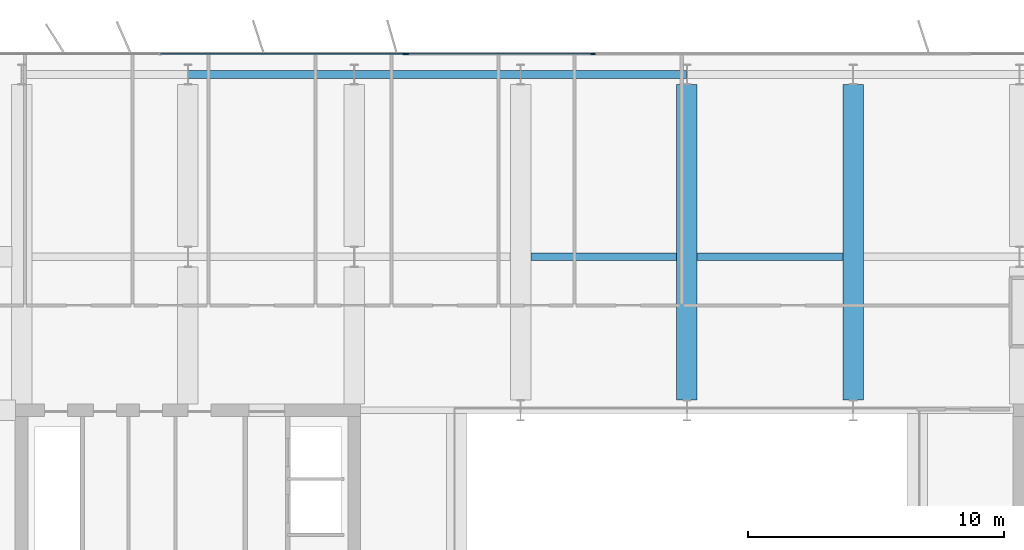
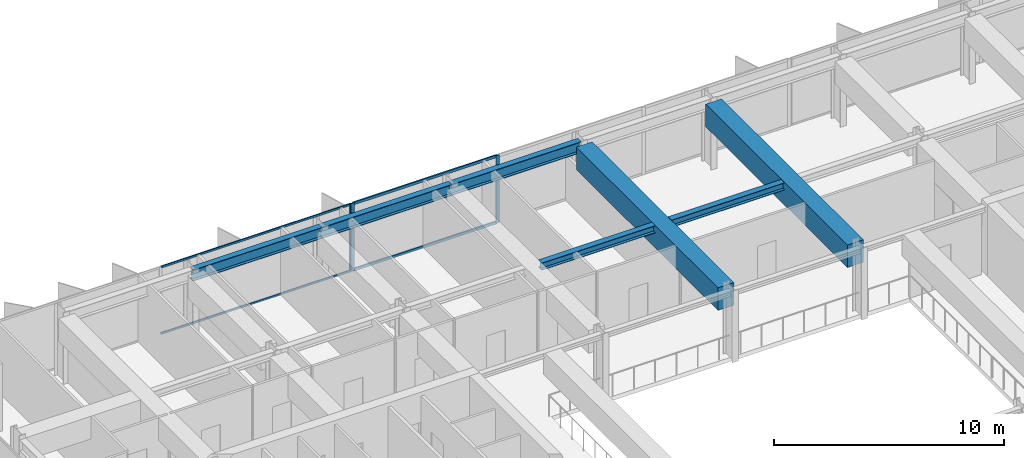
# One storey, part 11 of 24: 7 beams, 7 members, 2 elements without a shape of their own.
"""IFC4 building model written with IfcOpenShell, lengths in metres."""

from ifc_helpers import new_model, si_unit, direction, frame, origin, origin_2d, place, context, subcontext, project, spatial, rectangle, i_section, extrude, material, layer, layer_set, material_profile, profile_set, type_object, element, aggregate, save


model = new_model("IFC4")

# Units and contexts
model_context = context("Model", 3, precision=1e-05, world=origin(), true_north=direction((0.0, 1.0)))
body_context = subcontext(model_context, "Body", "Model", "MODEL_VIEW")
ifc_project = project(units=[si_unit("LENGTHUNIT", "METRE"), si_unit("AREAUNIT", "SQUARE_METRE"), si_unit("VOLUMEUNIT", "CUBIC_METRE"), si_unit("PLANEANGLEUNIT", "RADIAN"), si_unit("MASSUNIT", "GRAM", prefix="KILO")], contexts=[model_context])

# Site, building, storey
site_placement = place(None, origin())
site = spatial("IfcSite", under=ifc_project, at=site_placement, CompositionType="ELEMENT")
building_placement = place(site_placement, origin())
building = spatial("IfcBuilding", under=site, at=building_placement, Name="Putna Gate Headquarters", CompositionType="ELEMENT")
storey_placement = place(building_placement, frame((0.0, 0.0, 251.800048828125)))
storey = spatial("IfcBuildingStorey", under=building, at=storey_placement, Name="L63", CompositionType="ELEMENT", Elevation=251.800048828125)

# Beams
ifc_material_1 = material(Name="Steel S355J2", Category="steel")
ifc_material_profile_1 = material_profile(ifc_material_1, i_section(OverallWidth=0.300048828125, OverallDepth=0.389892578125, WebThickness=0.010986328125, FlangeThickness=0.01904296875, at=origin_2d()), Name="Steel S355J2")
ifc_profile_set_1 = profile_set([ifc_material_profile_1], Name="Steel S355J2")
beam_type_1 = type_object("IfcBeamType", Name="BM-SEC-Z5-HEA400", PredefinedType="BEAM", material=ifc_profile_set_1)
for number, where, z_axis, x_axis, name in (
    (1, (32.904052734375, 39.0, 3.39306640625), (1.0, 0.0, 0.0), (0.0, 1.0, 0.0), "L63 North Secondary Beam 4"),
    (2, (39.404052734375, 39.0, 3.39306640625), (1.0, 0.0, 0.0), (0.0, 1.0, 0.0), "L63 North Secondary Beam 5"),
):
    element("IfcBeam", number, at=place(storey_placement, frame(where, z_axis=z_axis, x_axis=x_axis)), inside=storey, type_object=beam_type_1, Name=name, PredefinedType="BEAM", context=body_context, shape_type="SweptSolid", body=[
        extrude(i_section(OverallWidth=0.300048828125, OverallDepth=0.389892578125, WebThickness=0.010986328125, FlangeThickness=0.01904296875, at=origin_2d()), origin(), (0.0, 0.0, 1.0), 5.69189453125),
    ])
ifc_material_profile_2 = material_profile(ifc_material_1, i_section(OverallWidth=0.300048828125, OverallDepth=0.590087890625, WebThickness=0.012939453125, FlangeThickness=0.02490234375, at=origin_2d()), Name="Steel S355J2")
ifc_profile_set_2 = profile_set([ifc_material_profile_2], Name="Steel S355J2")
beam_type_2 = type_object("IfcBeamType", Name="BM-SPAN-Z4-HEA600", PredefinedType="SPANDREL", material=ifc_profile_set_2)
for number, where, z_axis, x_axis, name in (
    (3, (19.506103515625, 46.1201171875, 3.29296875), (1.0, 0.0, 0.0), (0.0, 1.0, 0.0), "L63 N Perimeter Spandrel 2"),
    (4, (26.006103515625, 46.1201171875, 3.29296875), (1.0, 0.0, 0.0), (0.0, 1.0, 0.0), "L63 N Perimeter Spandrel 3"),
    (5, (32.506103515625, 46.1201171875, 3.29296875), (1.0, 0.0, 0.0), (0.0, 1.0, 0.0), "L63 N Perimeter Spandrel 4"),
):
    element("IfcBeam", number, at=place(storey_placement, frame(where, z_axis=z_axis, x_axis=x_axis)), inside=storey, type_object=beam_type_2, Name=name, PredefinedType="SPANDREL", context=body_context, shape_type="SweptSolid", body=[
        extrude(i_section(OverallWidth=0.300048828125, OverallDepth=0.590087890625, WebThickness=0.012939453125, FlangeThickness=0.02490234375, at=origin_2d()), origin(), (0.0, 0.0, 1.0), 6.48779296875),
    ])
ifc_material_2 = material(Name="Concrete C50/60", Category="concrete")
ifc_material_profile_3 = material_profile(ifc_material_2, rectangle(XDim=0.800048828125, YDim=1.199951171875, at=origin_2d()), Name="Concrete C50/60")
ifc_profile_set_3 = profile_set([ifc_material_profile_3], Name="Concrete C50/60")
beam_type_3 = type_object("IfcBeamType", Name="BM-TG-RC1200", PredefinedType="USERDEFINED", material=ifc_profile_set_3)
for number, where, z_axis, x_axis, name in (
    (6, (39.0, 33.39501953125, 2.988037109375), (0.0, 1.0, 0.0), (-1.0, 0.0, 0.0), "L63 North Primary Girder X39"),
    (7, (45.5, 33.39501953125, 2.988037109375), (0.0, 1.0, 0.0), (-1.0, 0.0, 0.0), "L63 North Primary Girder X45"),
):
    element("IfcBeam", number, at=place(storey_placement, frame(where, z_axis=z_axis, x_axis=x_axis)), inside=storey, type_object=beam_type_3, Name=name, ObjectType="GIRDER", PredefinedType="USERDEFINED", context=body_context, shape_type="SweptSolid", body=[
        extrude(rectangle(XDim=0.800048828125, YDim=1.199951171875, at=origin_2d()), origin(), (0.0, 0.0, 1.0), 12.330078125),
    ])

# Curtain wall, member
ifc_material_3 = material(Name="Anodised bronze aluminium curtain wall", Category="aluminium")
ifc_layer_1 = layer(ifc_material_3, 0.139892578125)
ifc_layer_set_1 = layer_set([ifc_layer_1], Name="Anodised bronze aluminium curtain wall")
curtain_wall_type_1 = type_object("IfcCurtainWallType", Name="CW-SYS-Z4", PredefinedType="USERDEFINED", material=ifc_layer_set_1)
curtain_wall_1_placement = place(storey_placement, origin())
curtain_wall_1 = element("IfcCurtainWall", 8, at=curtain_wall_1_placement, inside=storey, type_object=curtain_wall_type_1, Name="L63 North West Curtain Wall", ObjectType="STICK CURTAIN WALL", PredefinedType="USERDEFINED")
ifc_material_4 = material(Name="Anodised bronze aluminium EN AW-6060", Category="aluminium")
ifc_material_profile_4 = material_profile(ifc_material_4, rectangle(XDim=0.06005859375, YDim=0.139892578125, at=origin_2d()), Name="Anodised bronze aluminium EN AW-6060")
ifc_profile_set_4 = profile_set([ifc_material_profile_4], Name="Anodised bronze aluminium EN AW-6060")
member_type_1 = type_object("IfcMemberType", Name="MULL-CWM-4", PredefinedType="MULLION", material=ifc_profile_set_4)
member_1_placement = place(storey_placement, frame((27.969970703125, 46.919921875, 0.0), z_axis=(0.0, 0.0, 1.0), x_axis=(0.0, 1.0, 0.0)))
member_1 = element("IfcMember", 9, at=member_1_placement, type_object=member_type_1, Name="CWS-4 mullion 3", PredefinedType="MULLION", context=body_context, shape_type="SweptSolid", body=[
    extrude(rectangle(XDim=0.06005859375, YDim=0.139892578125, at=origin_2d()), origin(), (0.0, 0.0, 1.0), 3.587890625),
])

# Curtain wall, members
ifc_layer_2 = layer(ifc_material_3, 0.179931640625)
ifc_layer_set_2 = layer_set([ifc_layer_2], Name="Anodised bronze aluminium curtain wall")
curtain_wall_type_2 = type_object("IfcCurtainWallType", Name="CW-SYS-ATR", PredefinedType="USERDEFINED", material=ifc_layer_set_2)
curtain_wall_2_placement = place(storey_placement, origin())
curtain_wall_2 = element("IfcCurtainWall", 10, at=curtain_wall_2_placement, inside=storey, type_object=curtain_wall_type_2, Name="L63 North Atrium Clear Glazing", ObjectType="ATRIUM GLAZING", PredefinedType="USERDEFINED")
ifc_material_profile_5 = material_profile(ifc_material_4, rectangle(XDim=0.070068359375, YDim=0.179931640625, at=origin_2d()), Name="Anodised bronze aluminium EN AW-6060")
ifc_profile_set_5 = profile_set([ifc_material_profile_5], Name="Anodised bronze aluminium EN AW-6060")
member_type_2 = type_object("IfcMemberType", Name="MULL-CWM-AT", PredefinedType="MULLION", material=ifc_profile_set_5)
member_2_placement = place(storey_placement, frame((28.034912109375, 46.919921875, 0.0), z_axis=(0.0, 0.0, 1.0), x_axis=(0.0, 1.0, 0.0)))
member_2 = element("IfcMember", 11, at=member_2_placement, type_object=member_type_2, Name="CWS-AT mullion 1", PredefinedType="MULLION", context=body_context, shape_type="SweptSolid", body=[
    extrude(rectangle(XDim=0.070068359375, YDim=0.179931640625, at=origin_2d()), origin(), (0.0, 0.0, 1.0), 3.587890625),
])
member_3_placement = place(storey_placement, frame((35.333251953125, 46.919921875, 0.0), z_axis=(0.0, 0.0, 1.0), x_axis=(0.0, 1.0, 0.0)))
member_3 = element("IfcMember", 12, at=member_3_placement, type_object=member_type_2, Name="CWS-AT mullion 2", PredefinedType="MULLION", context=body_context, shape_type="SweptSolid", body=[
    extrude(rectangle(XDim=0.070068359375, YDim=0.179931640625, at=origin_2d()), origin(), (0.0, 0.0, 1.0), 3.587890625),
])

# Member
ifc_material_profile_6 = material_profile(ifc_material_4, rectangle(XDim=0.06005859375, YDim=0.10009765625, at=origin_2d()), Name="Anodised bronze aluminium EN AW-6060")
ifc_profile_set_6 = profile_set([ifc_material_profile_6], Name="Anodised bronze aluminium EN AW-6060")
member_type_3 = type_object("IfcMemberType", Name="TRAN-CWT-4", PredefinedType="USERDEFINED", material=ifc_profile_set_6)
member_4_placement = place(storey_placement, frame((18.429931640625, 46.919921875, 0.030029296875), z_axis=(1.0, 0.0, 0.0), x_axis=(0.0, 1.0, 0.0)))
member_4 = element("IfcMember", 13, at=member_4_placement, type_object=member_type_3, Name="CWS-4 transom 2.1", ObjectType="TRANSOM", PredefinedType="USERDEFINED", context=body_context, shape_type="SweptSolid", body=[
    extrude(rectangle(XDim=0.06005859375, YDim=0.10009765625, at=origin_2d()), origin(), (0.0, 0.0, 1.0), 9.510009765625),
])

member_5_placement = place(storey_placement, frame((18.429931640625, 46.919921875, 3.557861328125), z_axis=(1.0, 0.0, 0.0), x_axis=(0.0, 1.0, 0.0)))
member_5 = element("IfcMember", 14, at=member_5_placement, type_object=member_type_3, Name="CWS-4 transom 2.2", ObjectType="TRANSOM", PredefinedType="USERDEFINED", context=body_context, shape_type="SweptSolid", body=[
    extrude(rectangle(XDim=0.06005859375, YDim=0.10009765625, at=origin_2d()), origin(), (0.0, 0.0, 1.0), 9.510009765625),
])

aggregate(curtain_wall_1, [member_1, member_4, member_5])

ifc_material_profile_7 = material_profile(ifc_material_4, rectangle(XDim=0.070068359375, YDim=0.139892578125, at=origin_2d()), Name="Anodised bronze aluminium EN AW-6060")
ifc_profile_set_7 = profile_set([ifc_material_profile_7], Name="Anodised bronze aluminium EN AW-6060")
member_type_4 = type_object("IfcMemberType", Name="TRAN-CWT-AT", PredefinedType="USERDEFINED", material=ifc_profile_set_7)
member_6_placement = place(storey_placement, frame((28.070068359375, 46.919921875, 0.034912109375), z_axis=(1.0, 0.0, 0.0), x_axis=(0.0, 1.0, 0.0)))
member_6 = element("IfcMember", 15, at=member_6_placement, type_object=member_type_4, Name="CWS-AT transom 1.1", ObjectType="TRANSOM", PredefinedType="USERDEFINED", context=body_context, shape_type="SweptSolid", body=[
    extrude(rectangle(XDim=0.070068359375, YDim=0.139892578125, at=origin_2d()), origin(), (0.0, 0.0, 1.0), 7.228271484375),
])

member_7_placement = place(storey_placement, frame((28.070068359375, 46.919921875, 3.552978515625), z_axis=(1.0, 0.0, 0.0), x_axis=(0.0, 1.0, 0.0)))
member_7 = element("IfcMember", 16, at=member_7_placement, type_object=member_type_4, Name="CWS-AT transom 1.2", ObjectType="TRANSOM", PredefinedType="USERDEFINED", context=body_context, shape_type="SweptSolid", body=[
    extrude(rectangle(XDim=0.070068359375, YDim=0.139892578125, at=origin_2d()), origin(), (0.0, 0.0, 1.0), 7.228271484375),
])

aggregate(curtain_wall_2, [member_2, member_3, member_6, member_7])

save(model, "model.ifc")
